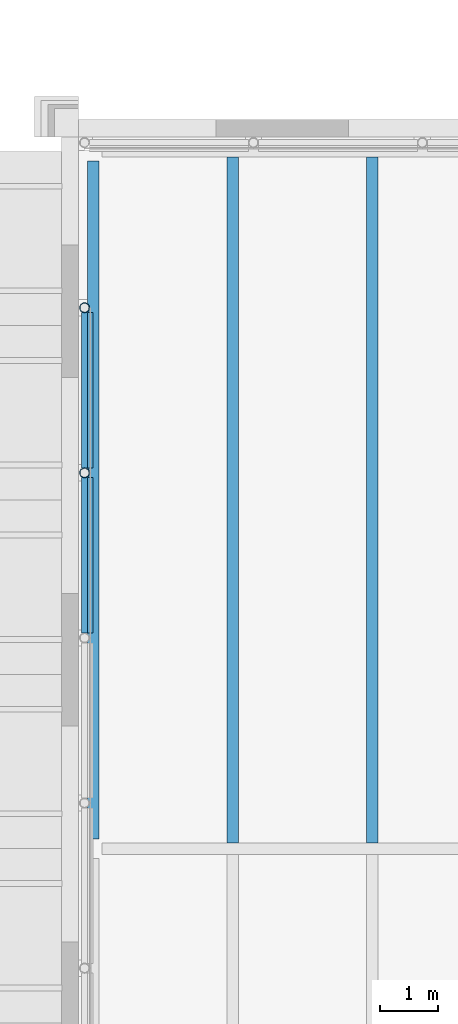
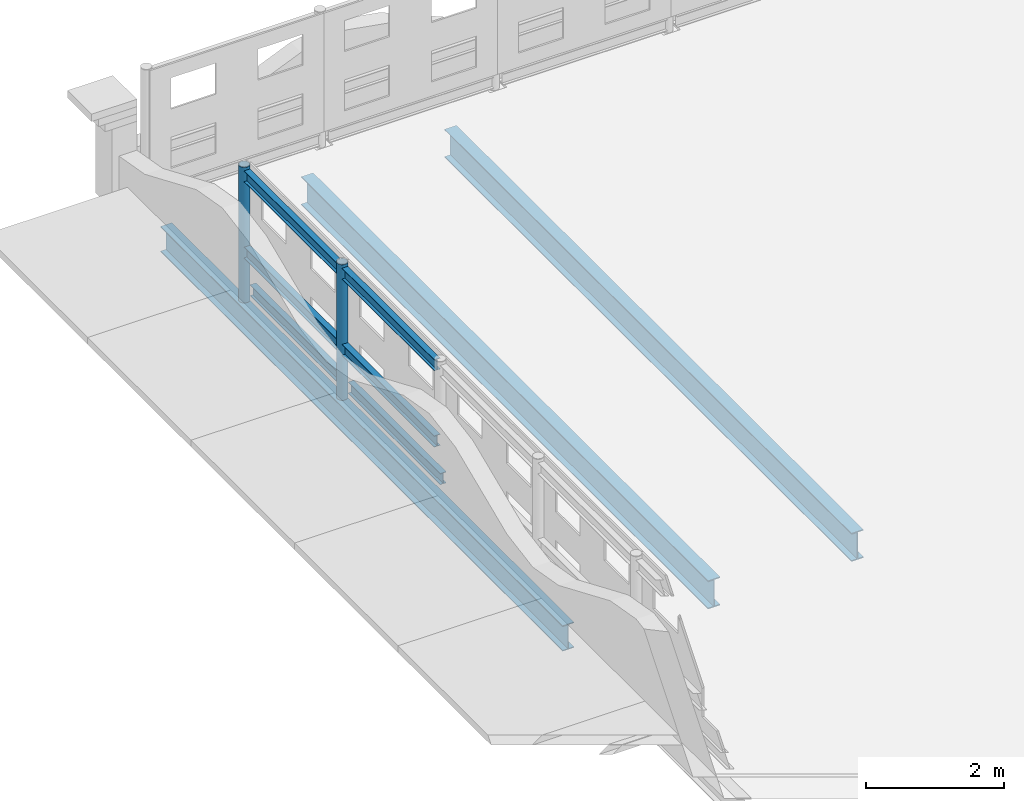
# One storey, part 19 of 91: 8 members, 3 beams.
"""IFC4 building model written with IfcOpenShell, lengths in metres."""

from ifc_helpers import new_model, si_unit, direction, frame, origin, origin_2d, place, context, subcontext, project, spatial, hollow_circle, i_section, extrude, material, material_profile, profile_set, type_object, element, save


model = new_model("IFC4")

# Units and contexts
model_context = context("Model", 3, precision=1e-05, world=origin(), true_north=direction((0.0, 1.0)))
body_context = subcontext(model_context, "Body", "Model", "MODEL_VIEW")
ifc_project = project(units=[si_unit("LENGTHUNIT", "METRE"), si_unit("AREAUNIT", "SQUARE_METRE"), si_unit("VOLUMEUNIT", "CUBIC_METRE"), si_unit("PLANEANGLEUNIT", "RADIAN"), si_unit("MASSUNIT", "GRAM", prefix="KILO")], contexts=[model_context])

# Site, building, storey
site_placement = place(None, origin())
site = spatial("IfcSite", under=ifc_project, at=site_placement, CompositionType="ELEMENT")
building_placement = place(site_placement, origin())
building = spatial("IfcBuilding", under=site, at=building_placement, Name="Ravi Spectrum Wholesale Market", CompositionType="ELEMENT")
storey_placement = place(building_placement, frame((0.0, 0.0, 16.199951171875)))
storey = spatial("IfcBuildingStorey", under=building, at=storey_placement, Name="ROOF PLANT LEVEL", CompositionType="ELEMENT", Elevation=16.199951171875)

# Members
ifc_material_1 = material(Name="Steel S355", Category="steel")
ifc_material_profile_1 = material_profile(ifc_material_1, hollow_circle(Radius=0.084228515625, WallThickness=0.00634765625, at=origin_2d()))
ifc_profile_set_1 = profile_set([ifc_material_profile_1], Name="Steel S355")
member_type_1 = type_object("IfcMemberType", Name="CHS 168.3x6.3 post", PredefinedType="POST", material=ifc_profile_set_1)
for number, where, z_axis, x_axis, name in (
    (1, (197.85009765625, 63.308837890625, 0.0), (0.0, 0.0, 1.0), (1.0, 0.0, 0.0), "CS-MB-ROOF-077"),
    (2, (197.85009765625, 60.467529296875, 0.0), (0.0, 0.0, 1.0), (1.0, 0.0, 0.0), "CS-MB-ROOF-078"),
):
    element("IfcMember", number, at=place(storey_placement, frame(where, z_axis=z_axis, x_axis=x_axis)), inside=storey, type_object=member_type_1, Name=name, PredefinedType="POST", context=body_context, shape_type="SweptSolid", body=[
        extrude(hollow_circle(Radius=0.084228515625, WallThickness=0.00634765625, at=origin_2d()), origin(), (0.0, 0.0, 1.0), 2.400146484375),
    ])
ifc_material_2 = material(Name="Steel S355", Category="steel")
ifc_material_profile_2 = material_profile(ifc_material_2, i_section(OverallWidth=0.10009765625, OverallDepth=0.199951171875, WebThickness=0.005615234375, FlangeThickness=0.008544921875, at=origin_2d()))
ifc_profile_set_2 = profile_set([ifc_material_profile_2], Name="Steel S355")
member_type_2 = type_object("IfcMemberType", Name="IPE 200 purlin", PredefinedType="PURLIN", material=ifc_profile_set_2)
for number, where, z_axis, x_axis, name in (
    (3, (197.85009765625, 63.224609375, 0.900146484375), (0.0, -1.0, 0.0), (1.0, 0.0, 0.0), "CS-MB-ROOF-312"),
    (4, (197.85009765625, 63.224609375, 2.25), (0.0, -1.0, 0.0), (1.0, 0.0, 0.0), "CS-MB-ROOF-313"),
    (5, (197.94921875, 63.224609375, 0.199951171875), (0.0, -1.0, 0.0), (1.0, 0.0, 0.0), "CS-MB-ROOF-314"),
    (6, (197.85009765625, 60.383544921875, 0.900146484375), (0.0, -1.0, 0.0), (1.0, 0.0, 0.0), "CS-MB-ROOF-315"),
    (7, (197.85009765625, 60.383544921875, 2.25), (0.0, -1.0, 0.0), (1.0, 0.0, 0.0), "CS-MB-ROOF-316"),
    (8, (197.94921875, 60.383544921875, 0.199951171875), (0.0, -1.0, 0.0), (1.0, 0.0, 0.0), "CS-MB-ROOF-317"),
):
    element("IfcMember", number, at=place(storey_placement, frame(where, z_axis=z_axis, x_axis=x_axis)), inside=storey, type_object=member_type_2, Name=name, PredefinedType="PURLIN", context=body_context, shape_type="SweptSolid", body=[
        extrude(i_section(OverallWidth=0.10009765625, OverallDepth=0.199951171875, WebThickness=0.005615234375, FlangeThickness=0.008544921875, at=origin_2d()), origin(), (0.0, 0.0, 1.0), 2.6728515625),
    ])

# Beams
ifc_material_3 = material(Name="Steel S355", Category="steel")
ifc_material_profile_3 = material_profile(ifc_material_3, i_section(OverallWidth=0.18994140625, OverallDepth=0.449951171875, WebThickness=0.009521484375, FlangeThickness=0.0146484375, at=origin_2d()))
ifc_profile_set_3 = profile_set([ifc_material_profile_3], Name="Steel S355")
beam_type_1 = type_object("IfcBeamType", Name="IPE 450 girder", PredefinedType="BEAM", material=ifc_profile_set_3)
beam_placement = place(storey_placement, frame((198.0, 54.169921875, -0.474853515625), z_axis=(0.0, 1.0, 0.0), x_axis=(-1.0, 0.0, 0.0)))
element("IfcBeam", 9, at=beam_placement, inside=storey, type_object=beam_type_1, Name="CS-BM-ROOF-039", PredefinedType="BEAM", context=body_context, shape_type="SweptSolid", body=[
    extrude(i_section(OverallWidth=0.18994140625, OverallDepth=0.449951171875, WebThickness=0.009521484375, FlangeThickness=0.0146484375, at=origin_2d()), origin(), (0.0, 0.0, 1.0), 11.66015625),
])
ifc_material_4 = material(Name="Steel S355", Category="steel")
ifc_material_profile_4 = material_profile(ifc_material_4, i_section(OverallWidth=0.199951171875, OverallDepth=0.5, WebThickness=0.01025390625, FlangeThickness=0.01611328125, at=origin_2d()))
ifc_profile_set_4 = profile_set([ifc_material_profile_4], Name="Steel S355")
beam_type_2 = type_object("IfcBeamType", Name="IPE 500 beam", PredefinedType="BEAM", material=ifc_profile_set_4)
for number, where, z_axis, x_axis, name in (
    (10, (200.39990234375, 54.10009765625, -0.5), (0.0, 1.0, 0.0), (-1.0, 0.0, 0.0), "CS-BM-ROOF-082"),
    (11, (202.800048828125, 54.10009765625, -0.5), (0.0, 1.0, 0.0), (-1.0, 0.0, 0.0), "CS-BM-ROOF-083"),
):
    element("IfcBeam", number, at=place(storey_placement, frame(where, z_axis=z_axis, x_axis=x_axis)), inside=storey, type_object=beam_type_2, Name=name, PredefinedType="BEAM", context=body_context, shape_type="SweptSolid", body=[
        extrude(i_section(OverallWidth=0.199951171875, OverallDepth=0.5, WebThickness=0.01025390625, FlangeThickness=0.01611328125, at=origin_2d()), origin(), (0.0, 0.0, 1.0), 11.7998046875),
    ])

save(model, "model.ifc")
